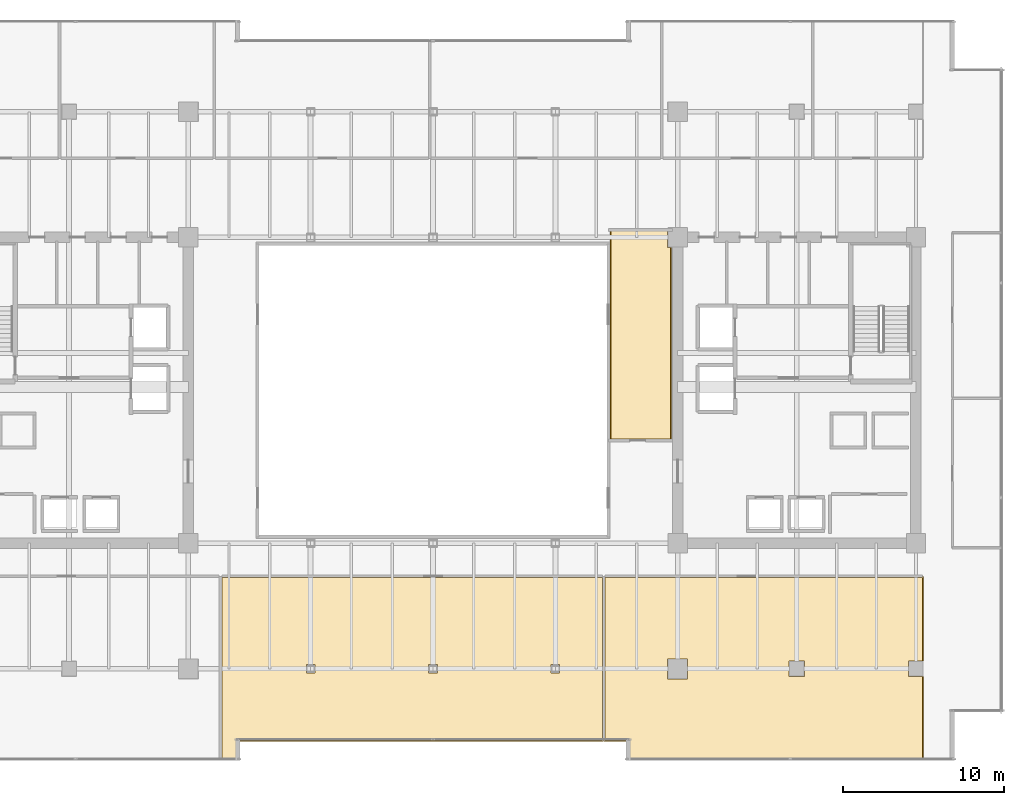
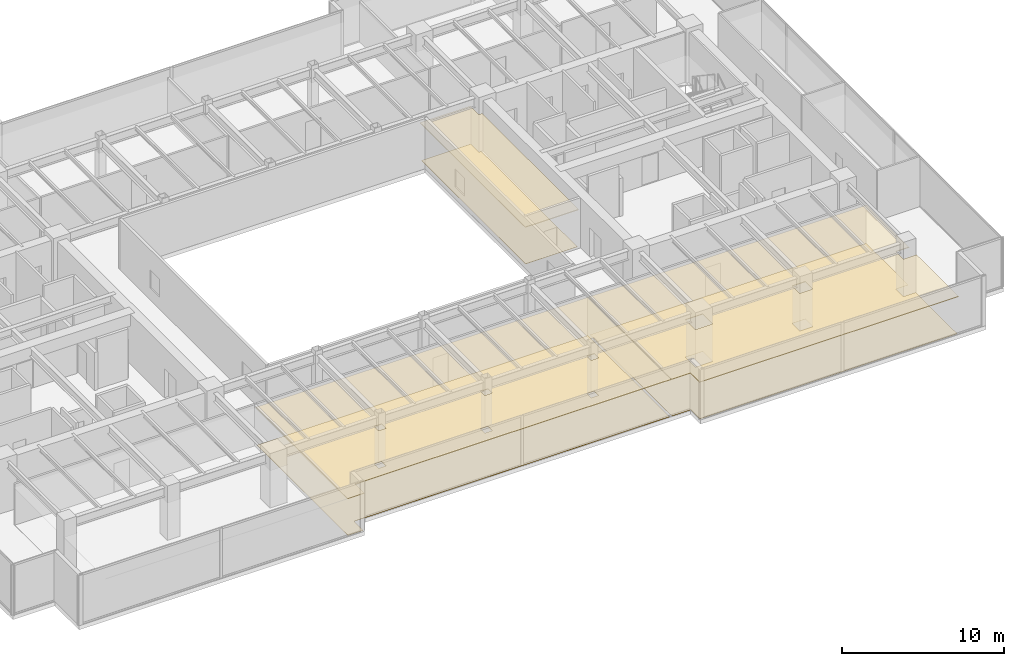
# One storey, part 31 of 33: 6 coverings.
"""IFC4 building model written with IfcOpenShell, lengths in metres."""

from ifc_helpers import new_model, si_unit, direction, frame, origin, place, context, subcontext, project, spatial, polyline, outline, extrude, material, layer, layer_set, type_object, element, save


model = new_model("IFC4")

# Units and contexts
model_context = context("Model", 3, precision=1e-05, world=origin(), true_north=direction((0.0, 1.0)))
body_context = subcontext(model_context, "Body", "Model", "MODEL_VIEW")
ifc_project = project(units=[si_unit("LENGTHUNIT", "METRE"), si_unit("AREAUNIT", "SQUARE_METRE"), si_unit("VOLUMEUNIT", "CUBIC_METRE"), si_unit("PLANEANGLEUNIT", "RADIAN"), si_unit("MASSUNIT", "GRAM", prefix="KILO")], contexts=[model_context])

# Site, building, storey
site_placement = place(None, origin())
site = spatial("IfcSite", under=ifc_project, at=site_placement, CompositionType="ELEMENT")
building_placement = place(site_placement, origin())
building = spatial("IfcBuilding", under=site, at=building_placement, Name="Haelvirn Gate Laboratories", CompositionType="ELEMENT")
storey_placement = place(building_placement, frame((0.0, 0.0, 137.89990234375)))
storey = spatial("IfcBuildingStorey", under=building, at=storey_placement, Name="L33", CompositionType="ELEMENT", Elevation=137.89990234375)

# Coverings
ifc_material_1 = material(Name="Washable cleanroom gasketed aluminium ceiling", Category="aluminium")
ifc_layer_1 = layer(ifc_material_1, 0.050048828125, Name="COV-CEIL-CLN")
ifc_layer_set_1 = layer_set([ifc_layer_1], Name="Washable cleanroom gasketed aluminium ceiling")
covering_type_1 = type_object("IfcCoveringType", Name="COV-CEIL-CLN", PredefinedType="CEILING", material=ifc_layer_set_1)
covering_1_placement = place(storey_placement, frame((0.0, 0.0, 2.81005859375)))
element("IfcCovering", 1, at=covering_1_placement, inside=storey, type_object=covering_type_1, Name="L33 Laboratory Acoustic Ceiling CEIL-SP-L33-ATRIUM-SEM", PredefinedType="CEILING", context=body_context, shape_type="SweptSolid", body=[
    extrude(outline(polyline([(52.2099609375, 21.219970703125), (48.389892578125, 21.219970703125), (48.389892578125, 34.239990234375), (51.97998046875, 34.239990234375), (51.97998046875, 33.179931640625), (52.2099609375, 33.179931640625), (52.2099609375, 21.219970703125)])), origin(), (0.0, 0.0, 1.0), 0.050048828125),
])
covering_2_placement = place(storey_placement, frame((0.0, 0.0, 2.81005859375)))
element("IfcCovering", 2, at=covering_2_placement, inside=storey, type_object=covering_type_1, Name="L33 Laboratory Acoustic Ceiling CEIL-SP-L33-S-02", PredefinedType="CEILING", context=body_context, shape_type="SweptSolid", body=[
    extrude(outline(polyline([(24.219970703125, 12.72998046875), (47.97998046875, 12.72998046875), (47.97998046875, 2.47998046875), (25.419921875, 2.47998046875), (25.419921875, 1.35009765625), (24.219970703125, 1.35009765625), (24.219970703125, 12.72998046875)]), holes=[polyline([(29.530029296875, 6.72998046875), (30.070068359375, 6.72998046875), (30.070068359375, 7.27001953125), (29.530029296875, 7.27001953125), (29.530029296875, 6.72998046875)]), polyline([(37.1298828125, 7.27001953125), (37.1298828125, 6.72998046875), (37.669921875, 6.72998046875), (37.669921875, 7.27001953125), (37.1298828125, 7.27001953125)]), polyline([(45.27001953125, 7.27001953125), (44.72998046875, 7.27001953125), (44.72998046875, 6.72998046875), (45.27001953125, 6.72998046875), (45.27001953125, 7.27001953125)])]), origin(), (0.0, 0.0, 1.0), 0.050048828125),
])
covering_3_placement = place(storey_placement, frame((0.0, 0.0, 2.81005859375)))
element("IfcCovering", 3, at=covering_3_placement, inside=storey, type_object=covering_type_1, Name="L33 Laboratory Acoustic Ceiling CEIL-SP-L33-S-03", PredefinedType="CEILING", context=body_context, shape_type="SweptSolid", body=[
    extrude(outline(polyline([(67.8798828125, 12.72998046875), (67.8798828125, 7.409912109375), (67.8701171875, 7.409912109375), (67.8701171875, 7.469970703125), (66.929931640625, 7.469970703125), (66.929931640625, 6.530029296875), (67.8701171875, 6.530029296875), (67.8701171875, 6.590087890625), (67.8798828125, 6.590087890625), (67.8798828125, 1.35009765625), (49.3798828125, 1.35009765625), (49.3798828125, 2.47998046875), (48.02001953125, 2.47998046875), (48.02001953125, 12.72998046875), (67.8798828125, 12.72998046875)]), holes=[polyline([(51.97998046875, 6.3798828125), (53.219970703125, 6.3798828125), (53.219970703125, 7.6201171875), (51.97998046875, 7.6201171875), (51.97998046875, 6.3798828125)]), polyline([(59.530029296875, 7.469970703125), (59.530029296875, 6.530029296875), (60.469970703125, 6.530029296875), (60.469970703125, 7.469970703125), (59.530029296875, 7.469970703125)])]), origin(), (0.0, 0.0, 1.0), 0.050048828125),
])
ifc_material_2 = material(Name="Seamless chemical-resistant epoxy laboratory flooring")
ifc_layer_2 = layer(ifc_material_2, 0.01806640625, Name="COV-FLR-RESIN")
ifc_layer_set_2 = layer_set([ifc_layer_2], Name="Seamless chemical-resistant epoxy laboratory flooring")
covering_type_2 = type_object("IfcCoveringType", Name="COV-FLR-RESIN", PredefinedType="FLOORING", material=ifc_layer_set_2)
covering_4_placement = place(storey_placement, origin())
element("IfcCovering", 4, at=covering_4_placement, inside=storey, type_object=covering_type_2, Name="L33 Seamless Laboratory Flooring FLR-SP-L33-ATRIUM-SEM", PredefinedType="FLOORING", context=body_context, shape_type="SweptSolid", body=[
    extrude(outline(polyline([(51.97998046875, 34.179931640625), (51.97998046875, 33.179931640625), (52.14990234375, 33.179931640625), (52.14990234375, 21.280029296875), (48.449951171875, 21.280029296875), (48.449951171875, 34.179931640625), (51.97998046875, 34.179931640625)])), origin(), (0.0, 0.0, 1.0), 0.01806640625),
])
covering_5_placement = place(storey_placement, origin())
element("IfcCovering", 5, at=covering_5_placement, inside=storey, type_object=covering_type_2, Name="L33 Seamless Laboratory Flooring FLR-SP-L33-S-02", PredefinedType="FLOORING", context=body_context, shape_type="SweptSolid", body=[
    extrude(outline(polyline([(25.39990234375, 2.5400390625), (25.39599609375, 2.539794921875), (25.39208984375, 2.539306640625), (25.388427734375, 2.538330078125), (25.384765625, 2.537109375), (25.381103515625, 2.535400390625), (25.377685546875, 2.533203125), (25.37451171875, 2.531005859375), (25.37158203125, 2.5283203125), (25.369140625, 2.525390625), (25.36669921875, 2.522216796875), (25.36474609375, 2.518798828125), (25.363037109375, 2.515380859375), (25.36181640625, 2.51171875), (25.36083984375, 2.5078125), (25.360107421875, 2.50390625), (25.360107421875, 2.5), (25.360107421875, 1.409912109375), (24.280029296875, 1.409912109375), (24.280029296875, 12.669921875), (47.919921875, 12.669921875), (47.919921875, 2.5400390625), (25.39990234375, 2.5400390625)]), holes=[polyline([(30.070068359375, 6.72998046875), (30.070068359375, 7.27001953125), (29.530029296875, 7.27001953125), (29.530029296875, 6.72998046875), (30.070068359375, 6.72998046875)]), polyline([(37.1298828125, 6.72998046875), (37.669921875, 6.72998046875), (37.669921875, 7.27001953125), (37.1298828125, 7.27001953125), (37.1298828125, 6.72998046875)]), polyline([(44.72998046875, 7.27001953125), (44.72998046875, 6.72998046875), (45.27001953125, 6.72998046875), (45.27001953125, 7.27001953125), (44.72998046875, 7.27001953125)])]), origin(), (0.0, 0.0, 1.0), 0.01806640625),
])
covering_6_placement = place(storey_placement, origin())
element("IfcCovering", 6, at=covering_6_placement, inside=storey, type_object=covering_type_2, Name="L33 Seamless Laboratory Flooring FLR-SP-L33-S-03", PredefinedType="FLOORING", context=body_context, shape_type="SweptSolid", body=[
    extrude(outline(polyline([(49.43994140625, 2.5), (49.439697265625, 2.50390625), (49.439208984375, 2.5078125), (49.438232421875, 2.51171875), (49.43701171875, 2.515380859375), (49.435302734375, 2.518798828125), (49.433349609375, 2.522216796875), (49.430908203125, 2.525390625), (49.42822265625, 2.5283203125), (49.42529296875, 2.531005859375), (49.422119140625, 2.533203125), (49.4189453125, 2.535400390625), (49.415283203125, 2.537109375), (49.41162109375, 2.538330078125), (49.40771484375, 2.539306640625), (49.40380859375, 2.539794921875), (49.39990234375, 2.5400390625), (48.080078125, 2.5400390625), (48.080078125, 12.669921875), (67.820068359375, 12.669921875), (67.820068359375, 7.469970703125), (66.929931640625, 7.469970703125), (66.929931640625, 6.530029296875), (67.820068359375, 6.530029296875), (67.820068359375, 1.409912109375), (49.43994140625, 1.409912109375), (49.43994140625, 2.5)]), holes=[polyline([(53.219970703125, 6.3798828125), (53.219970703125, 7.6201171875), (51.97998046875, 7.6201171875), (51.97998046875, 6.3798828125), (53.219970703125, 6.3798828125)]), polyline([(59.530029296875, 6.530029296875), (60.469970703125, 6.530029296875), (60.469970703125, 7.469970703125), (59.530029296875, 7.469970703125), (59.530029296875, 6.530029296875)])]), origin(), (0.0, 0.0, 1.0), 0.01806640625),
])

save(model, "model.ifc")
